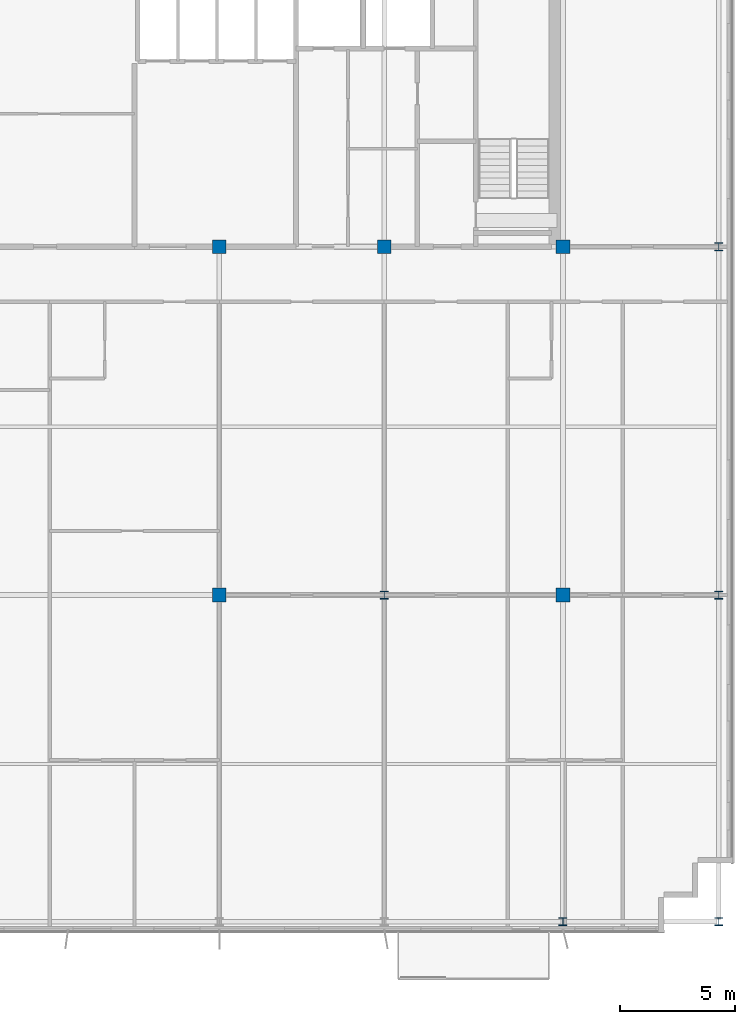
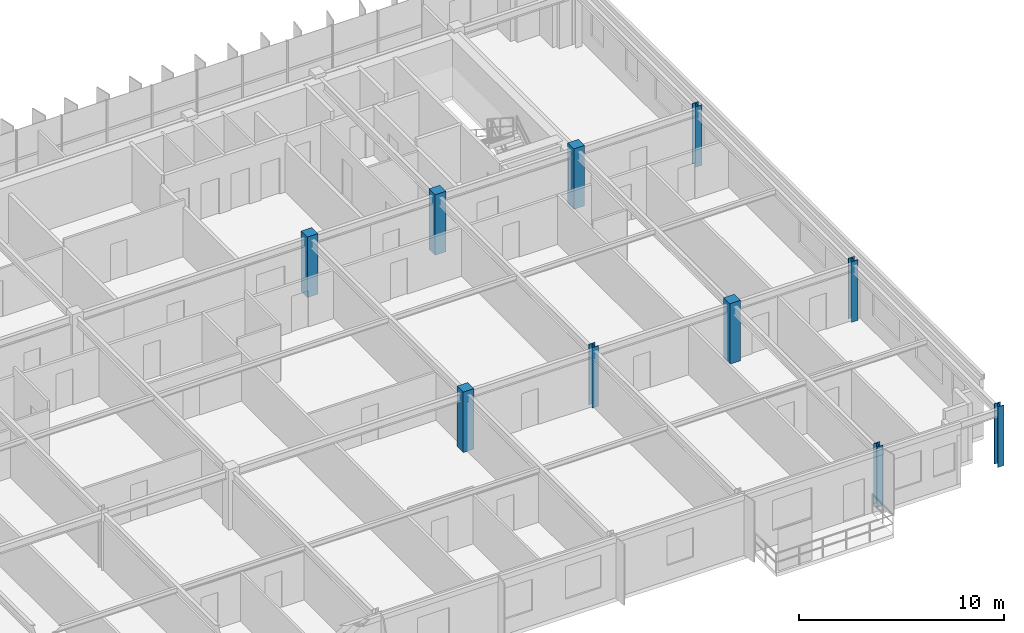
# One storey, part 2 of 23: 10 columns.
"""IFC4 building model written with IfcOpenShell, lengths in metres."""

from ifc_helpers import new_model, si_unit, direction, frame, origin, origin_2d, place, context, subcontext, project, spatial, rectangle, i_section, extrude, source, transform, mapped, material, material_profile, profile_set, type_object, element, save


model = new_model("IFC4")

# Units and contexts
model_context = context("Model", 3, precision=1e-05, world=origin(), true_north=direction((0.0, 1.0)))
body_context = subcontext(model_context, "Body", "Model", "MODEL_VIEW")
ifc_project = project(units=[si_unit("LENGTHUNIT", "METRE"), si_unit("AREAUNIT", "SQUARE_METRE"), si_unit("VOLUMEUNIT", "CUBIC_METRE"), si_unit("PLANEANGLEUNIT", "RADIAN"), si_unit("MASSUNIT", "GRAM", prefix="KILO")], contexts=[model_context])

# Site, building, storey
site_placement = place(None, origin())
site = spatial("IfcSite", under=ifc_project, at=site_placement, CompositionType="ELEMENT")
building_placement = place(site_placement, origin())
building = spatial("IfcBuilding", under=site, at=building_placement, Name="Trelvane Seafront Commons", CompositionType="ELEMENT")
storey_placement = place(building_placement, frame((0.0, 0.0, 263.10009765625)))
storey = spatial("IfcBuildingStorey", under=building, at=storey_placement, Name="L68", CompositionType="ELEMENT", Elevation=263.10009765625)

# Columns
ifc_material_1 = material(Name="Steel SM355 (S355)", Category="steel")
ifc_material_profile_1 = material_profile(ifc_material_1, i_section(OverallWidth=0.35009765625, OverallDepth=0.35009765625, WebThickness=0.01806640625, FlangeThickness=0.028076171875, at=origin_2d()), Name="HD-350x350x18x28")
ifc_profile_set_1 = profile_set([ifc_material_profile_1], Name="Steel SM355 (S355)")
column_type_1 = type_object("IfcColumnType", Name="STR-COL-HD350", PredefinedType="COLUMN", material=ifc_profile_set_1)
shared_shape_1 = source(origin(), body_context, "Body", "SweptSolid", [
    extrude(i_section(OverallWidth=0.35009765625, OverallDepth=0.35009765625, WebThickness=0.01806640625, FlangeThickness=0.028076171875, at=origin_2d()), origin(), (0.0, 0.0, 1.0), 3.599853515625),
])
for number, where, z_axis, x_axis, name in (
    (1, (51.0, 18.199951171875, 0.0), (0.0, 0.0, 1.0), (1.0, 0.0, 0.0), "L68 Column TC-M51.0"),
    (2, (58.800048828125, 3.949951171875, 0.0), (0.0, 0.0, 1.0), (1.0, 0.0, 0.0), "L68 Column TC-S58.8"),
    (3, (65.60009765625, 3.949951171875, 0.0), (0.0, 0.0, 1.0), (1.0, 0.0, 0.0), "L68 Column TC-S65.6"),
    (4, (65.60009765625, 18.199951171875, 0.0), (0.0, 0.0, 1.0), (1.0, 0.0, 0.0), "L68 Column TC-M65.6"),
    (5, (65.60009765625, 33.39990234375, 0.0), (0.0, 0.0, 1.0), (1.0, 0.0, 0.0), "L68 Column TC-CS65.6"),
):
    element("IfcColumn", number, at=place(storey_placement, frame(where, z_axis=z_axis, x_axis=x_axis)), inside=storey, type_object=column_type_1, Name=name, PredefinedType="COLUMN", context=body_context, shape_type="MappedRepresentation", body=[
        mapped(shared_shape_1, transform((0.0, 0.0, 0.0), x_axis=(1.0, 0.0, 0.0), y_axis=(0.0, 1.0, 0.0), z_axis=(0.0, 0.0, 1.0), scale=1.0)),
    ])
ifc_material_2 = material(Name="Concrete C50/60", Category="concrete")
ifc_material_profile_2 = material_profile(ifc_material_2, rectangle(XDim=0.60009765625, YDim=0.60009765625, at=origin_2d()), Name="RC-600x600")
ifc_profile_set_2 = profile_set([ifc_material_profile_2], Name="Concrete C50/60")
column_type_2 = type_object("IfcColumnType", Name="STR-COL-RC600", PredefinedType="COLUMN", material=ifc_profile_set_2)
shared_shape_2 = source(origin(), body_context, "Body", "SweptSolid", [
    extrude(rectangle(XDim=0.60009765625, YDim=0.60009765625, at=origin_2d()), origin(), (0.0, 0.0, 1.0), 3.599853515625),
])
for number, where, z_axis, x_axis, name in (
    (6, (43.800048828125, 18.199951171875, 0.0), (0.0, 0.0, 1.0), (1.0, 0.0, 0.0), "L68 Column TC-M43.8"),
    (7, (43.800048828125, 33.39990234375, 0.0), (0.0, 0.0, 1.0), (1.0, 0.0, 0.0), "L68 Column TC-CS43.8"),
    (8, (51.0, 33.39990234375, 0.0), (0.0, 0.0, 1.0), (1.0, 0.0, 0.0), "L68 Column TC-CS51.0"),
    (9, (58.800048828125, 18.199951171875, 0.0), (0.0, 0.0, 1.0), (1.0, 0.0, 0.0), "L68 Column TC-M58.8"),
    (10, (58.800048828125, 33.39990234375, 0.0), (0.0, 0.0, 1.0), (1.0, 0.0, 0.0), "L68 Column TC-CS58.8"),
):
    element("IfcColumn", number, at=place(storey_placement, frame(where, z_axis=z_axis, x_axis=x_axis)), inside=storey, type_object=column_type_2, Name=name, PredefinedType="COLUMN", context=body_context, shape_type="MappedRepresentation", body=[
        mapped(shared_shape_2, transform((0.0, 0.0, 0.0), x_axis=(1.0, 0.0, 0.0), y_axis=(0.0, 1.0, 0.0), z_axis=(0.0, 0.0, 1.0), scale=1.0)),
    ])

save(model, "model.ifc")
